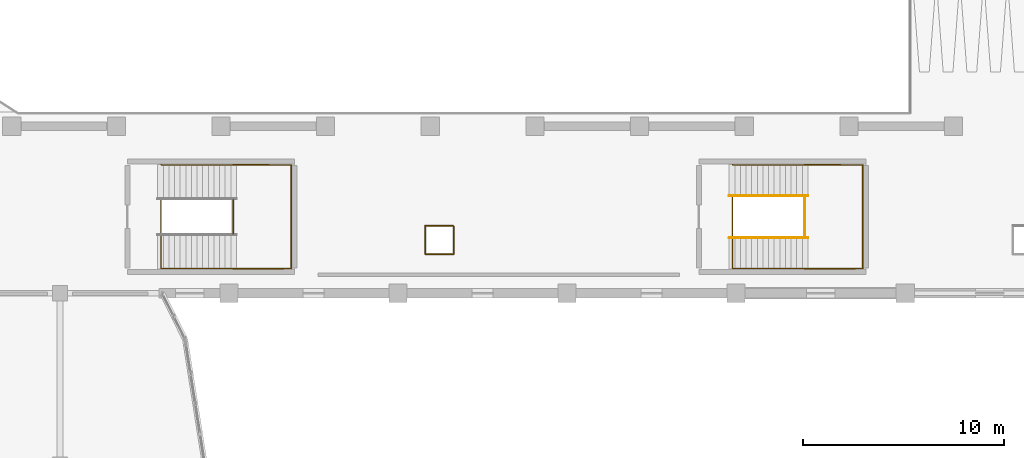
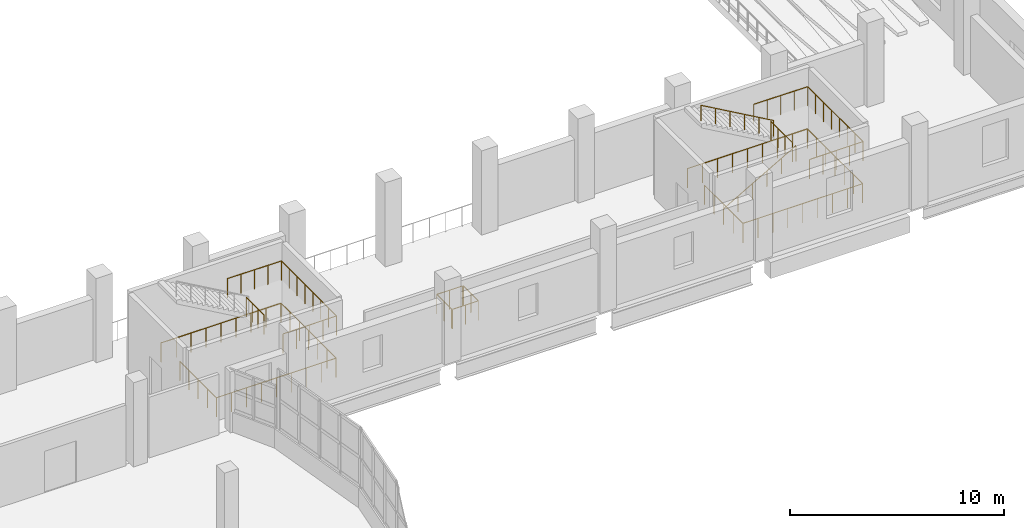
# One storey, part 71 of 77: 10 railings.
"""IFC4 building model written with IfcOpenShell, lengths in metres."""

from ifc_helpers import new_model, si_unit, direction, frame, origin, origin_2d, place, context, subcontext, project, spatial, circle, extrude, material, type_object, element, save


model = new_model("IFC4")

# Units and contexts
model_context = context("Model", 3, precision=1e-05, world=origin(), true_north=direction((0.0, 1.0)))
body_context = subcontext(model_context, "Body", "Model", "MODEL_VIEW")
ifc_project = project(units=[si_unit("LENGTHUNIT", "METRE"), si_unit("AREAUNIT", "SQUARE_METRE"), si_unit("VOLUMEUNIT", "CUBIC_METRE"), si_unit("PLANEANGLEUNIT", "RADIAN"), si_unit("MASSUNIT", "GRAM", prefix="KILO")], contexts=[model_context])

# Site, building, storey
site_placement = place(None, origin())
site = spatial("IfcSite", under=ifc_project, at=site_placement, CompositionType="ELEMENT")
building_placement = place(site_placement, origin())
building = spatial("IfcBuilding", under=site, at=building_placement, Name="Solvento Point Concert Hall", CompositionType="ELEMENT")
storey_placement = place(building_placement, frame((0.0, 0.0, 10.199951171875)))
storey = spatial("IfcBuildingStorey", under=building, at=storey_placement, Name="L02", CompositionType="ELEMENT", Elevation=10.199951171875)

# Railings
ifc_material_1 = material(Name="Brushed Stainless Steel Balustrade", Category="steel")
railing_type_1 = type_object("IfcRailingType", Name="StairHandrail_915", PredefinedType="HANDRAIL", material=ifc_material_1)
railing_1_placement = place(storey_placement, frame((116.050048828125, 45.25, 0.16015625)))
element("IfcRailing", 1, at=railing_1_placement, inside=storey, type_object=railing_type_1, Name="Stair handrail HR-01 ST-07 L02 F1", PredefinedType="HANDRAIL", context=body_context, shape_type="SweptSolid", body=[
    extrude(circle(Radius=0.0224609375, at=origin_2d()), frame((0.0, 0.0, 0.892578125), z_axis=(0.868239814368, 0.0, 0.496144761885), x_axis=(0.0, 1.0, 0.0)), (0.0, 0.0, 1.0), 4.514892578125),
    extrude(circle(Radius=0.01904296875, at=origin_2d()), origin(), (0.0, 0.0, 1.0), 0.8701171875),
    extrude(circle(Radius=0.01904296875, at=origin_2d()), frame((0.783935546875, 0.0, 0.447998046875)), (0.0, 0.0, 1.0), 0.8701171875),
    extrude(circle(Radius=0.01904296875, at=origin_2d()), frame((1.56787109375, 0.0, 0.89599609375)), (0.0, 0.0, 1.0), 0.8701171875),
    extrude(circle(Radius=0.01904296875, at=origin_2d()), frame((2.35205078125, 0.0, 1.343994140625)), (0.0, 0.0, 1.0), 0.8701171875),
    extrude(circle(Radius=0.01904296875, at=origin_2d()), frame((3.135986328125, 0.0, 1.7919921875)), (0.0, 0.0, 1.0), 0.8701171875),
    extrude(circle(Radius=0.01904296875, at=origin_2d()), frame((3.919921875, 0.0, 2.239990234375)), (0.0, 0.0, 1.0), 0.8701171875),
])
railing_2_placement = place(storey_placement, frame((119.969970703125, 47.35009765625, 2.56005859375)))
element("IfcRailing", 2, at=railing_2_placement, inside=storey, type_object=railing_type_1, Name="Stair handrail HR-01 ST-07 L02 F2", PredefinedType="HANDRAIL", context=body_context, shape_type="SweptSolid", body=[
    extrude(circle(Radius=0.0224609375, at=origin_2d()), frame((0.0, 0.0, 0.892578125), z_axis=(-0.868239814368, 0.0, 0.496144761885), x_axis=(0.0, -1.0, 0.0)), (0.0, 0.0, 1.0), 4.514892578125),
    extrude(circle(Radius=0.01904296875, at=origin_2d()), origin(), (0.0, 0.0, 1.0), 0.8701171875),
    extrude(circle(Radius=0.01904296875, at=origin_2d()), frame((-0.783935546875, 0.0, 0.447998046875)), (0.0, 0.0, 1.0), 0.8701171875),
    extrude(circle(Radius=0.01904296875, at=origin_2d()), frame((-1.56787109375, 0.0, 0.89599609375)), (0.0, 0.0, 1.0), 0.8701171875),
    extrude(circle(Radius=0.01904296875, at=origin_2d()), frame((-2.35205078125, 0.0, 1.343994140625)), (0.0, 0.0, 1.0), 0.8701171875),
    extrude(circle(Radius=0.01904296875, at=origin_2d()), frame((-3.135986328125, 0.0, 1.7919921875)), (0.0, 0.0, 1.0), 0.8701171875),
    extrude(circle(Radius=0.01904296875, at=origin_2d()), frame((-3.919921875, 0.0, 2.239990234375)), (0.0, 0.0, 1.0), 0.8701171875),
])
ifc_material_2 = material(Name="Brushed Stainless Steel Balustrade", Category="steel")
railing_type_2 = type_object("IfcRailingType", Name="StairWellGuard_1100", PredefinedType="BALUSTRADE", material=ifc_material_2)
railing_3_placement = place(storey_placement, frame((87.820068359375, 47.139892578125, 0.0)))
element("IfcRailing", 3, at=railing_3_placement, inside=storey, type_object=railing_type_2, Name="Stairwell guard GR-02 ST-06 L02", PredefinedType="BALUSTRADE", context=body_context, shape_type="SweptSolid", body=[
    extrude(circle(Radius=0.02392578125, at=origin_2d()), frame((0.0, 0.0, 1.09619140625), z_axis=(0.0, -1.0, 0.0), x_axis=(1.0, 0.0, 0.0)), (0.0, 0.0, 1.0), 3.419921875),
    extrude(circle(Radius=0.02392578125, at=origin_2d()), frame((0.0, -3.419921875, 1.09619140625), z_axis=(1.0, 0.0, 0.0), x_axis=(0.0, 1.0, 0.0)), (0.0, 0.0, 1.0), 6.4599609375),
    extrude(circle(Radius=0.02392578125, at=origin_2d()), frame((6.4599609375, -3.419921875, 1.09619140625), z_axis=(0.0, 1.0, 0.0), x_axis=(-1.0, 0.0, 0.0)), (0.0, 0.0, 1.0), 5.159912109375),
    extrude(circle(Radius=0.02392578125, at=origin_2d()), frame((6.4599609375, 1.739990234375, 1.09619140625), z_axis=(-1.0, 0.0, 0.0), x_axis=(0.0, -1.0, 0.0)), (0.0, 0.0, 1.0), 6.4599609375),
    extrude(circle(Radius=0.02392578125, at=origin_2d()), frame((0.0, 1.739990234375, 1.09619140625), z_axis=(0.0, 1.0, 0.0), x_axis=(-1.0, 0.0, 0.0)), (0.0, 0.0, 1.0), 0.02001953125),
    extrude(circle(Radius=0.02099609375, at=origin_2d()), origin(), (0.0, 0.0, 1.0), 1.072021484375),
    extrude(circle(Radius=0.02099609375, at=origin_2d()), frame((0.0, -0.85498046875, 0.0)), (0.0, 0.0, 1.0), 1.072021484375),
    extrude(circle(Radius=0.02099609375, at=origin_2d()), frame((0.0, -1.7099609375, 0.0)), (0.0, 0.0, 1.0), 1.072021484375),
    extrude(circle(Radius=0.02099609375, at=origin_2d()), frame((0.0, -2.56494140625, 0.0)), (0.0, 0.0, 1.0), 1.072021484375),
    extrude(circle(Radius=0.02099609375, at=origin_2d()), frame((0.0, -3.419921875, 0.0)), (0.0, 0.0, 1.0), 1.072021484375),
    extrude(circle(Radius=0.02099609375, at=origin_2d()), frame((0.8076171875, -3.419921875, 0.0)), (0.0, 0.0, 1.0), 1.072021484375),
    extrude(circle(Radius=0.02099609375, at=origin_2d()), frame((1.614990234375, -3.419921875, 0.0)), (0.0, 0.0, 1.0), 1.072021484375),
    extrude(circle(Radius=0.02099609375, at=origin_2d()), frame((2.42236328125, -3.419921875, 0.0)), (0.0, 0.0, 1.0), 1.072021484375),
    extrude(circle(Radius=0.02099609375, at=origin_2d()), frame((3.22998046875, -3.419921875, 0.0)), (0.0, 0.0, 1.0), 1.072021484375),
    extrude(circle(Radius=0.02099609375, at=origin_2d()), frame((4.03759765625, -3.419921875, 0.0)), (0.0, 0.0, 1.0), 1.072021484375),
    extrude(circle(Radius=0.02099609375, at=origin_2d()), frame((4.844970703125, -3.419921875, 0.0)), (0.0, 0.0, 1.0), 1.072021484375),
    extrude(circle(Radius=0.02099609375, at=origin_2d()), frame((5.65234375, -3.419921875, 0.0)), (0.0, 0.0, 1.0), 1.072021484375),
    extrude(circle(Radius=0.02099609375, at=origin_2d()), frame((6.4599609375, -3.419921875, 0.0)), (0.0, 0.0, 1.0), 1.072021484375),
    extrude(circle(Radius=0.02099609375, at=origin_2d()), frame((6.4599609375, -2.56005859375, 0.0)), (0.0, 0.0, 1.0), 1.072021484375),
    extrude(circle(Radius=0.02099609375, at=origin_2d()), frame((6.4599609375, -1.699951171875, 0.0)), (0.0, 0.0, 1.0), 1.072021484375),
    extrude(circle(Radius=0.02099609375, at=origin_2d()), frame((6.4599609375, -0.83984375, 0.0)), (0.0, 0.0, 1.0), 1.072021484375),
    extrude(circle(Radius=0.02099609375, at=origin_2d()), frame((6.4599609375, 0.02001953125, 0.0)), (0.0, 0.0, 1.0), 1.072021484375),
    extrude(circle(Radius=0.02099609375, at=origin_2d()), frame((6.4599609375, 0.8798828125, 0.0)), (0.0, 0.0, 1.0), 1.072021484375),
    extrude(circle(Radius=0.02099609375, at=origin_2d()), frame((6.4599609375, 1.739990234375, 0.0)), (0.0, 0.0, 1.0), 1.072021484375),
    extrude(circle(Radius=0.02099609375, at=origin_2d()), frame((5.65234375, 1.739990234375, 0.0)), (0.0, 0.0, 1.0), 1.072021484375),
    extrude(circle(Radius=0.02099609375, at=origin_2d()), frame((4.844970703125, 1.739990234375, 0.0)), (0.0, 0.0, 1.0), 1.072021484375),
    extrude(circle(Radius=0.02099609375, at=origin_2d()), frame((4.03759765625, 1.739990234375, 0.0)), (0.0, 0.0, 1.0), 1.072021484375),
    extrude(circle(Radius=0.02099609375, at=origin_2d()), frame((3.22998046875, 1.739990234375, 0.0)), (0.0, 0.0, 1.0), 1.072021484375),
    extrude(circle(Radius=0.02099609375, at=origin_2d()), frame((2.42236328125, 1.739990234375, 0.0)), (0.0, 0.0, 1.0), 1.072021484375),
    extrude(circle(Radius=0.02099609375, at=origin_2d()), frame((1.614990234375, 1.739990234375, 0.0)), (0.0, 0.0, 1.0), 1.072021484375),
    extrude(circle(Radius=0.02099609375, at=origin_2d()), frame((0.8076171875, 1.739990234375, 0.0)), (0.0, 0.0, 1.0), 1.072021484375),
    extrude(circle(Radius=0.02099609375, at=origin_2d()), frame((0.0, 1.739990234375, 0.0)), (0.0, 0.0, 1.0), 1.072021484375),
    extrude(circle(Radius=0.02099609375, at=origin_2d()), frame((0.0, 1.760009765625, 0.0)), (0.0, 0.0, 1.0), 1.072021484375),
])
railing_4_placement = place(storey_placement, frame((91.39990234375, 43.699951171875, 2.400146484375)))
element("IfcRailing", 4, at=railing_4_placement, inside=storey, type_object=railing_type_2, Name="Half-landing perimeter guard GR-02 ST-06 L02", PredefinedType="BALUSTRADE", context=body_context, shape_type="SweptSolid", body=[
    extrude(circle(Radius=0.02392578125, at=origin_2d()), frame((0.0, 0.0, 1.09619140625), z_axis=(0.999976175575, 0.006902773499, 0.0), x_axis=(-0.006902773499, 0.999976175575, 0.0)), (0.0, 0.0, 1.0), 2.900146484375),
    extrude(circle(Radius=0.02392578125, at=origin_2d()), frame((2.900146484375, 0.02001953125, 1.09619140625), z_axis=(0.0, 1.0, 0.0), x_axis=(-1.0, 0.0, 0.0)), (0.0, 0.0, 1.0), 5.159912109375),
    extrude(circle(Radius=0.02392578125, at=origin_2d()), frame((2.900146484375, 5.179931640625, 1.09619140625), z_axis=(-0.999976175575, 0.006902773499, 0.0), x_axis=(-0.006902773499, -0.999976175575, 0.0)), (0.0, 0.0, 1.0), 2.900146484375),
    extrude(circle(Radius=0.02099609375, at=origin_2d()), origin(), (0.0, 0.0, 1.0), 1.072021484375),
    extrude(circle(Radius=0.02099609375, at=origin_2d()), frame((0.72509765625, 0.0048828125, 0.0)), (0.0, 0.0, 1.0), 1.072021484375),
    extrude(circle(Radius=0.02099609375, at=origin_2d()), frame((1.4501953125, 0.010009765625, 0.0)), (0.0, 0.0, 1.0), 1.072021484375),
    extrude(circle(Radius=0.02099609375, at=origin_2d()), frame((2.175048828125, 0.01513671875, 0.0)), (0.0, 0.0, 1.0), 1.072021484375),
    extrude(circle(Radius=0.02099609375, at=origin_2d()), frame((2.900146484375, 0.02001953125, 0.0)), (0.0, 0.0, 1.0), 1.072021484375),
    extrude(circle(Radius=0.02099609375, at=origin_2d()), frame((2.900146484375, 0.757080078125, 0.0)), (0.0, 0.0, 1.0), 1.072021484375),
    extrude(circle(Radius=0.02099609375, at=origin_2d()), frame((2.900146484375, 1.494384765625, 0.0)), (0.0, 0.0, 1.0), 1.072021484375),
    extrude(circle(Radius=0.02099609375, at=origin_2d()), frame((2.900146484375, 2.2314453125, 0.0)), (0.0, 0.0, 1.0), 1.072021484375),
    extrude(circle(Radius=0.02099609375, at=origin_2d()), frame((2.900146484375, 2.968505859375, 0.0)), (0.0, 0.0, 1.0), 1.072021484375),
    extrude(circle(Radius=0.02099609375, at=origin_2d()), frame((2.900146484375, 3.70556640625, 0.0)), (0.0, 0.0, 1.0), 1.072021484375),
    extrude(circle(Radius=0.02099609375, at=origin_2d()), frame((2.900146484375, 4.44287109375, 0.0)), (0.0, 0.0, 1.0), 1.072021484375),
    extrude(circle(Radius=0.02099609375, at=origin_2d()), frame((2.900146484375, 5.179931640625, 0.0)), (0.0, 0.0, 1.0), 1.072021484375),
    extrude(circle(Radius=0.02099609375, at=origin_2d()), frame((2.175048828125, 5.18505859375, 0.0)), (0.0, 0.0, 1.0), 1.072021484375),
    extrude(circle(Radius=0.02099609375, at=origin_2d()), frame((1.4501953125, 5.18994140625, 0.0)), (0.0, 0.0, 1.0), 1.072021484375),
    extrude(circle(Radius=0.02099609375, at=origin_2d()), frame((0.72509765625, 5.19482421875, 0.0)), (0.0, 0.0, 1.0), 1.072021484375),
    extrude(circle(Radius=0.02099609375, at=origin_2d()), frame((0.0, 5.199951171875, 0.0)), (0.0, 0.0, 1.0), 1.072021484375),
])
railing_5_placement = place(storey_placement, frame((91.39990234375, 45.4599609375, 2.400146484375)))
element("IfcRailing", 5, at=railing_5_placement, inside=storey, type_object=railing_type_2, Name="Half-landing slot guard GR-02 ST-06 L02", PredefinedType="BALUSTRADE", context=body_context, shape_type="SweptSolid", body=[
    extrude(circle(Radius=0.02392578125, at=origin_2d()), frame((0.0, 0.0, 1.09619140625), z_axis=(0.0, 1.0, 0.0), x_axis=(-1.0, 0.0, 0.0)), (0.0, 0.0, 1.0), 1.679931640625),
    extrude(circle(Radius=0.02099609375, at=origin_2d()), origin(), (0.0, 0.0, 1.0), 1.072021484375),
    extrude(circle(Radius=0.02099609375, at=origin_2d()), frame((0.0, 0.56005859375, 0.0)), (0.0, 0.0, 1.0), 1.072021484375),
    extrude(circle(Radius=0.02099609375, at=origin_2d()), frame((0.0, 1.119873046875, 0.0)), (0.0, 0.0, 1.0), 1.072021484375),
    extrude(circle(Radius=0.02099609375, at=origin_2d()), frame((0.0, 1.679931640625, 0.0)), (0.0, 0.0, 1.0), 1.072021484375),
])
railing_6_placement = place(storey_placement, frame((116.219970703125, 47.300048828125, 0.0)))
element("IfcRailing", 6, at=railing_6_placement, inside=storey, type_object=railing_type_2, Name="Stairwell guard GR-02 ST-07 L02", PredefinedType="BALUSTRADE", context=body_context, shape_type="SweptSolid", body=[
    extrude(circle(Radius=0.02392578125, at=origin_2d()), frame((0.0, 0.0, 1.09619140625), z_axis=(0.0, -1.0, 0.0), x_axis=(1.0, 0.0, 0.0)), (0.0, 0.0, 1.0), 3.580078125),
    extrude(circle(Radius=0.02392578125, at=origin_2d()), frame((0.0, -3.580078125, 1.09619140625), z_axis=(1.0, 0.0, 0.0), x_axis=(0.0, 1.0, 0.0)), (0.0, 0.0, 1.0), 6.4599609375),
    extrude(circle(Radius=0.02392578125, at=origin_2d()), frame((6.4599609375, -3.580078125, 1.09619140625), z_axis=(0.0, 1.0, 0.0), x_axis=(-1.0, 0.0, 0.0)), (0.0, 0.0, 1.0), 5.159912109375),
    extrude(circle(Radius=0.02392578125, at=origin_2d()), frame((6.4599609375, 1.579833984375, 1.09619140625), z_axis=(-1.0, 0.0, 0.0), x_axis=(0.0, -1.0, 0.0)), (0.0, 0.0, 1.0), 6.4599609375),
    extrude(circle(Radius=0.02392578125, at=origin_2d()), frame((0.0, 1.579833984375, 1.09619140625), z_axis=(0.0, 1.0, 0.0), x_axis=(-1.0, 0.0, 0.0)), (0.0, 0.0, 1.0), 0.02001953125),
    extrude(circle(Radius=0.02099609375, at=origin_2d()), origin(), (0.0, 0.0, 1.0), 1.072021484375),
    extrude(circle(Radius=0.02099609375, at=origin_2d()), frame((0.0, -0.89501953125, 0.0)), (0.0, 0.0, 1.0), 1.072021484375),
    extrude(circle(Radius=0.02099609375, at=origin_2d()), frame((0.0, -1.7900390625, 0.0)), (0.0, 0.0, 1.0), 1.072021484375),
    extrude(circle(Radius=0.02099609375, at=origin_2d()), frame((0.0, -2.68505859375, 0.0)), (0.0, 0.0, 1.0), 1.072021484375),
    extrude(circle(Radius=0.02099609375, at=origin_2d()), frame((0.0, -3.580078125, 0.0)), (0.0, 0.0, 1.0), 1.072021484375),
    extrude(circle(Radius=0.02099609375, at=origin_2d()), frame((0.8076171875, -3.580078125, 0.0)), (0.0, 0.0, 1.0), 1.072021484375),
    extrude(circle(Radius=0.02099609375, at=origin_2d()), frame((1.614990234375, -3.580078125, 0.0)), (0.0, 0.0, 1.0), 1.072021484375),
    extrude(circle(Radius=0.02099609375, at=origin_2d()), frame((2.42236328125, -3.580078125, 0.0)), (0.0, 0.0, 1.0), 1.072021484375),
    extrude(circle(Radius=0.02099609375, at=origin_2d()), frame((3.22998046875, -3.580078125, 0.0)), (0.0, 0.0, 1.0), 1.072021484375),
    extrude(circle(Radius=0.02099609375, at=origin_2d()), frame((4.03759765625, -3.580078125, 0.0)), (0.0, 0.0, 1.0), 1.072021484375),
    extrude(circle(Radius=0.02099609375, at=origin_2d()), frame((4.844970703125, -3.580078125, 0.0)), (0.0, 0.0, 1.0), 1.072021484375),
    extrude(circle(Radius=0.02099609375, at=origin_2d()), frame((5.65234375, -3.580078125, 0.0)), (0.0, 0.0, 1.0), 1.072021484375),
    extrude(circle(Radius=0.02099609375, at=origin_2d()), frame((6.4599609375, -3.580078125, 0.0)), (0.0, 0.0, 1.0), 1.072021484375),
    extrude(circle(Radius=0.02099609375, at=origin_2d()), frame((6.4599609375, -2.72021484375, 0.0)), (0.0, 0.0, 1.0), 1.072021484375),
    extrude(circle(Radius=0.02099609375, at=origin_2d()), frame((6.4599609375, -1.860107421875, 0.0)), (0.0, 0.0, 1.0), 1.072021484375),
    extrude(circle(Radius=0.02099609375, at=origin_2d()), frame((6.4599609375, -1.0, 0.0)), (0.0, 0.0, 1.0), 1.072021484375),
    extrude(circle(Radius=0.02099609375, at=origin_2d()), frame((6.4599609375, -0.14013671875, 0.0)), (0.0, 0.0, 1.0), 1.072021484375),
    extrude(circle(Radius=0.02099609375, at=origin_2d()), frame((6.4599609375, 0.7197265625, 0.0)), (0.0, 0.0, 1.0), 1.072021484375),
    extrude(circle(Radius=0.02099609375, at=origin_2d()), frame((6.4599609375, 1.579833984375, 0.0)), (0.0, 0.0, 1.0), 1.072021484375),
    extrude(circle(Radius=0.02099609375, at=origin_2d()), frame((5.65234375, 1.579833984375, 0.0)), (0.0, 0.0, 1.0), 1.072021484375),
    extrude(circle(Radius=0.02099609375, at=origin_2d()), frame((4.844970703125, 1.579833984375, 0.0)), (0.0, 0.0, 1.0), 1.072021484375),
    extrude(circle(Radius=0.02099609375, at=origin_2d()), frame((4.03759765625, 1.579833984375, 0.0)), (0.0, 0.0, 1.0), 1.072021484375),
    extrude(circle(Radius=0.02099609375, at=origin_2d()), frame((3.22998046875, 1.579833984375, 0.0)), (0.0, 0.0, 1.0), 1.072021484375),
    extrude(circle(Radius=0.02099609375, at=origin_2d()), frame((2.42236328125, 1.579833984375, 0.0)), (0.0, 0.0, 1.0), 1.072021484375),
    extrude(circle(Radius=0.02099609375, at=origin_2d()), frame((1.614990234375, 1.579833984375, 0.0)), (0.0, 0.0, 1.0), 1.072021484375),
    extrude(circle(Radius=0.02099609375, at=origin_2d()), frame((0.8076171875, 1.579833984375, 0.0)), (0.0, 0.0, 1.0), 1.072021484375),
    extrude(circle(Radius=0.02099609375, at=origin_2d()), frame((0.0, 1.579833984375, 0.0)), (0.0, 0.0, 1.0), 1.072021484375),
    extrude(circle(Radius=0.02099609375, at=origin_2d()), frame((0.0, 1.599853515625, 0.0)), (0.0, 0.0, 1.0), 1.072021484375),
])
railing_7_placement = place(storey_placement, frame((119.800048828125, 43.699951171875, 2.400146484375)))
element("IfcRailing", 7, at=railing_7_placement, inside=storey, type_object=railing_type_2, Name="Half-landing perimeter guard GR-02 ST-07 L02", PredefinedType="BALUSTRADE", context=body_context, shape_type="SweptSolid", body=[
    extrude(circle(Radius=0.02392578125, at=origin_2d()), frame((0.0, 0.0, 1.09619140625), z_axis=(0.999976171564, 0.006903354611, 0.0), x_axis=(-0.006903354611, 0.999976171564, 0.0)), (0.0, 0.0, 1.0), 2.89990234375),
    extrude(circle(Radius=0.02392578125, at=origin_2d()), frame((2.89990234375, 0.02001953125, 1.09619140625), z_axis=(0.0, 1.0, 0.0), x_axis=(-1.0, 0.0, 0.0)), (0.0, 0.0, 1.0), 5.159912109375),
    extrude(circle(Radius=0.02392578125, at=origin_2d()), frame((2.89990234375, 5.179931640625, 1.09619140625), z_axis=(-0.999976171564, 0.006903354611, 0.0), x_axis=(-0.006903354611, -0.999976171564, 0.0)), (0.0, 0.0, 1.0), 2.89990234375),
    extrude(circle(Radius=0.02099609375, at=origin_2d()), origin(), (0.0, 0.0, 1.0), 1.072021484375),
    extrude(circle(Radius=0.02099609375, at=origin_2d()), frame((0.72509765625, 0.0048828125, 0.0)), (0.0, 0.0, 1.0), 1.072021484375),
    extrude(circle(Radius=0.02099609375, at=origin_2d()), frame((1.449951171875, 0.010009765625, 0.0)), (0.0, 0.0, 1.0), 1.072021484375),
    extrude(circle(Radius=0.02099609375, at=origin_2d()), frame((2.1748046875, 0.01513671875, 0.0)), (0.0, 0.0, 1.0), 1.072021484375),
    extrude(circle(Radius=0.02099609375, at=origin_2d()), frame((2.89990234375, 0.02001953125, 0.0)), (0.0, 0.0, 1.0), 1.072021484375),
    extrude(circle(Radius=0.02099609375, at=origin_2d()), frame((2.89990234375, 0.757080078125, 0.0)), (0.0, 0.0, 1.0), 1.072021484375),
    extrude(circle(Radius=0.02099609375, at=origin_2d()), frame((2.89990234375, 1.494384765625, 0.0)), (0.0, 0.0, 1.0), 1.072021484375),
    extrude(circle(Radius=0.02099609375, at=origin_2d()), frame((2.89990234375, 2.2314453125, 0.0)), (0.0, 0.0, 1.0), 1.072021484375),
    extrude(circle(Radius=0.02099609375, at=origin_2d()), frame((2.89990234375, 2.968505859375, 0.0)), (0.0, 0.0, 1.0), 1.072021484375),
    extrude(circle(Radius=0.02099609375, at=origin_2d()), frame((2.89990234375, 3.70556640625, 0.0)), (0.0, 0.0, 1.0), 1.072021484375),
    extrude(circle(Radius=0.02099609375, at=origin_2d()), frame((2.89990234375, 4.44287109375, 0.0)), (0.0, 0.0, 1.0), 1.072021484375),
    extrude(circle(Radius=0.02099609375, at=origin_2d()), frame((2.89990234375, 5.179931640625, 0.0)), (0.0, 0.0, 1.0), 1.072021484375),
    extrude(circle(Radius=0.02099609375, at=origin_2d()), frame((2.1748046875, 5.18505859375, 0.0)), (0.0, 0.0, 1.0), 1.072021484375),
    extrude(circle(Radius=0.02099609375, at=origin_2d()), frame((1.449951171875, 5.18994140625, 0.0)), (0.0, 0.0, 1.0), 1.072021484375),
    extrude(circle(Radius=0.02099609375, at=origin_2d()), frame((0.72509765625, 5.19482421875, 0.0)), (0.0, 0.0, 1.0), 1.072021484375),
    extrude(circle(Radius=0.02099609375, at=origin_2d()), frame((0.0, 5.199951171875, 0.0)), (0.0, 0.0, 1.0), 1.072021484375),
])
railing_8_placement = place(storey_placement, frame((119.800048828125, 45.300048828125, 2.400146484375)))
element("IfcRailing", 8, at=railing_8_placement, inside=storey, type_object=railing_type_2, Name="Half-landing slot guard GR-02 ST-07 L02", PredefinedType="BALUSTRADE", context=body_context, shape_type="SweptSolid", body=[
    extrude(circle(Radius=0.02392578125, at=origin_2d()), frame((0.0, 0.0, 1.09619140625), z_axis=(0.0, 1.0, 0.0), x_axis=(-1.0, 0.0, 0.0)), (0.0, 0.0, 1.0), 2.0),
    extrude(circle(Radius=0.02099609375, at=origin_2d()), origin(), (0.0, 0.0, 1.0), 1.072021484375),
    extrude(circle(Radius=0.02099609375, at=origin_2d()), frame((0.0, 0.666748046875, 0.0)), (0.0, 0.0, 1.0), 1.072021484375),
    extrude(circle(Radius=0.02099609375, at=origin_2d()), frame((0.0, 1.333251953125, 0.0)), (0.0, 0.0, 1.0), 1.072021484375),
    extrude(circle(Radius=0.02099609375, at=origin_2d()), frame((0.0, 2.0, 0.0)), (0.0, 0.0, 1.0), 1.072021484375),
])
ifc_material_3 = material(Name="Brushed Stainless Steel Balustrade", Category="steel")
railing_type_3 = type_object("IfcRailingType", Name="TerraceBalustrade_1100", PredefinedType="BALUSTRADE", material=ifc_material_3)
railing_9_placement = place(storey_placement, frame((102.330078125, 45.860107421875, 0.0)))
element("IfcRailing", 9, at=railing_9_placement, inside=storey, type_object=railing_type_3, Name="Guard balustrade GR-01 L02", PredefinedType="BALUSTRADE", context=body_context, shape_type="SweptSolid", body=[
    extrude(circle(Radius=0.02392578125, at=origin_2d()), frame((0.0, 0.0, 1.09619140625), z_axis=(-1.0, 0.0, 0.0), x_axis=(0.0, -1.0, 0.0)), (0.0, 0.0, 1.0), 1.39013671875),
    extrude(circle(Radius=0.02392578125, at=origin_2d()), frame((-1.39013671875, 0.0, 1.09619140625), z_axis=(0.0, -1.0, 0.0), x_axis=(1.0, 0.0, 0.0)), (0.0, 0.0, 1.0), 1.39013671875),
    extrude(circle(Radius=0.02099609375, at=origin_2d()), origin(), (0.0, 0.0, 1.0), 1.072021484375),
    extrude(circle(Radius=0.02099609375, at=origin_2d()), frame((-0.695068359375, 0.0, 0.0)), (0.0, 0.0, 1.0), 1.072021484375),
    extrude(circle(Radius=0.02099609375, at=origin_2d()), frame((-1.39013671875, 0.0, 0.0)), (0.0, 0.0, 1.0), 1.072021484375),
    extrude(circle(Radius=0.02099609375, at=origin_2d()), frame((-1.39013671875, -0.695068359375, 0.0)), (0.0, 0.0, 1.0), 1.072021484375),
    extrude(circle(Radius=0.02099609375, at=origin_2d()), frame((-1.39013671875, -1.39013671875, 0.0)), (0.0, 0.0, 1.0), 1.072021484375),
])
railing_10_placement = place(storey_placement, frame((100.969970703125, 44.43994140625, 0.0)))
element("IfcRailing", 10, at=railing_10_placement, inside=storey, type_object=railing_type_3, Name="Guard balustrade GR-01 L02", PredefinedType="BALUSTRADE", context=body_context, shape_type="SweptSolid", body=[
    extrude(circle(Radius=0.02392578125, at=origin_2d()), frame((0.0, 0.0, 1.09619140625), z_axis=(1.0, 0.0, 0.0), x_axis=(0.0, 1.0, 0.0)), (0.0, 0.0, 1.0), 1.39013671875),
    extrude(circle(Radius=0.02392578125, at=origin_2d()), frame((1.39013671875, 0.0, 1.09619140625), z_axis=(0.0, 1.0, 0.0), x_axis=(-1.0, 0.0, 0.0)), (0.0, 0.0, 1.0), 1.39013671875),
    extrude(circle(Radius=0.02099609375, at=origin_2d()), origin(), (0.0, 0.0, 1.0), 1.072021484375),
    extrude(circle(Radius=0.02099609375, at=origin_2d()), frame((0.695068359375, 0.0, 0.0)), (0.0, 0.0, 1.0), 1.072021484375),
    extrude(circle(Radius=0.02099609375, at=origin_2d()), frame((1.39013671875, 0.0, 0.0)), (0.0, 0.0, 1.0), 1.072021484375),
    extrude(circle(Radius=0.02099609375, at=origin_2d()), frame((1.39013671875, 0.695068359375, 0.0)), (0.0, 0.0, 1.0), 1.072021484375),
    extrude(circle(Radius=0.02099609375, at=origin_2d()), frame((1.39013671875, 1.39013671875, 0.0)), (0.0, 0.0, 1.0), 1.072021484375),
])

save(model, "model.ifc")
